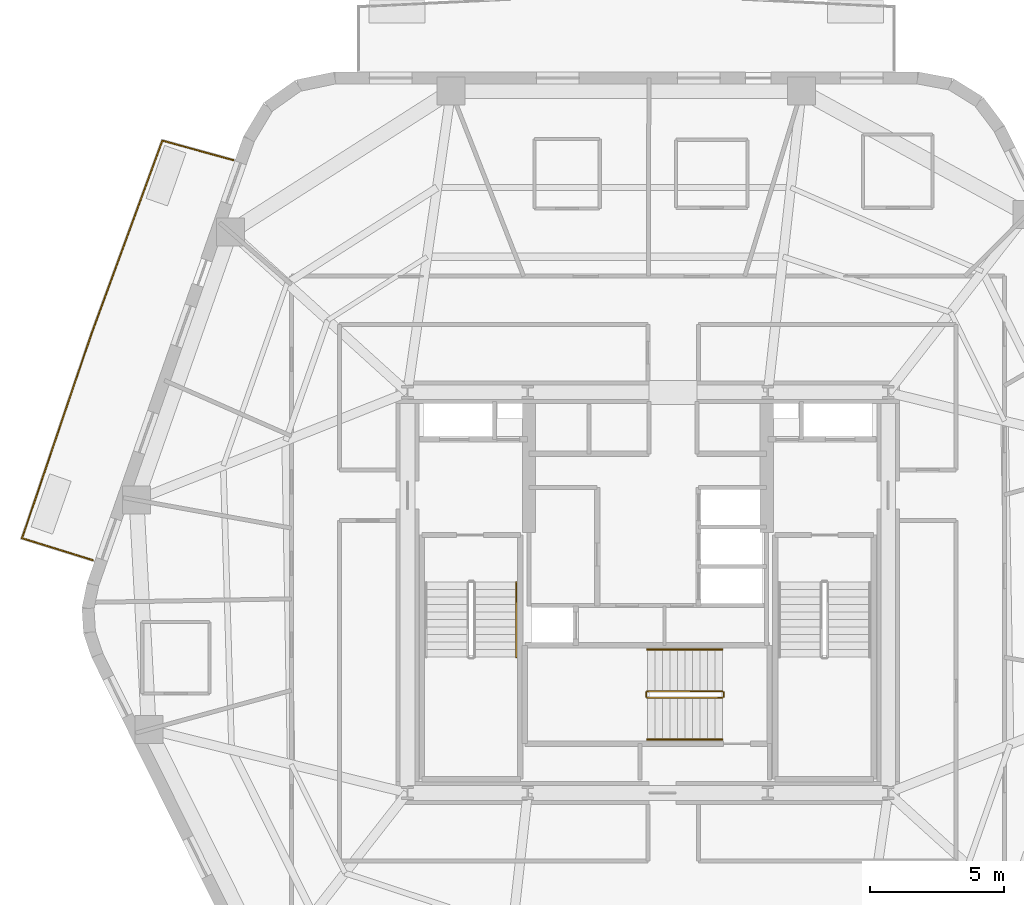
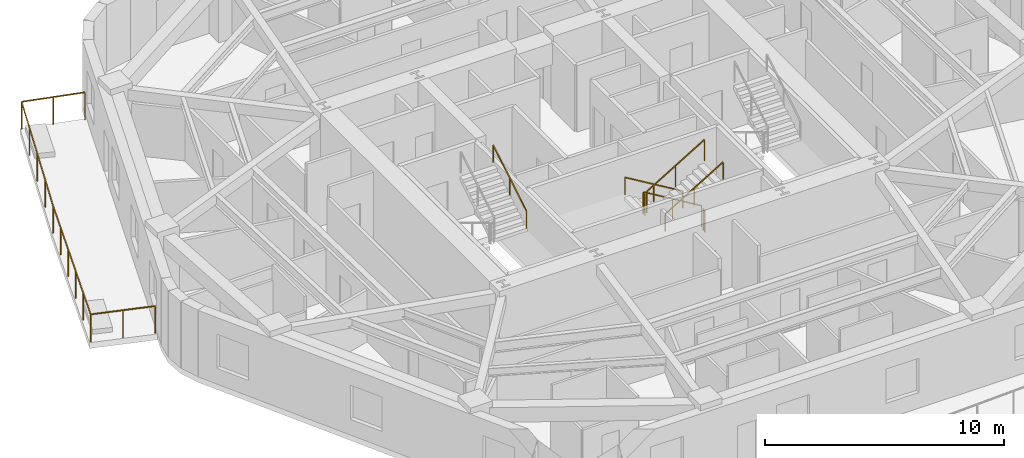
# One storey, part 9 of 11: 8 railings.
"""IFC4 building model written with IfcOpenShell, lengths in metres."""

from ifc_helpers import new_model, si_unit, direction, frame, origin, origin_2d, place, context, subcontext, project, spatial, rectangle, extrude, material, layer, layer_set, type_object, element, save


model = new_model("IFC4")

# Units and contexts
model_context = context("Model", 3, precision=1e-05, world=origin(), true_north=direction((0.0, 1.0)))
body_context = subcontext(model_context, "Body", "Model", "MODEL_VIEW")
ifc_project = project(units=[si_unit("LENGTHUNIT", "METRE"), si_unit("AREAUNIT", "SQUARE_METRE"), si_unit("VOLUMEUNIT", "CUBIC_METRE"), si_unit("PLANEANGLEUNIT", "RADIAN"), si_unit("MASSUNIT", "GRAM", prefix="KILO")], contexts=[model_context])

# Site, building, storey
site_placement = place(None, origin())
site = spatial("IfcSite", under=ifc_project, at=site_placement, CompositionType="ELEMENT")
building_placement = place(site_placement, origin())
building = spatial("IfcBuilding", under=site, at=building_placement, Name="Kilnhurst Terrace Hotel", CompositionType="ELEMENT")
storey_placement = place(building_placement, frame((0.0, 0.0, 159.10009765625)))
storey = spatial("IfcBuildingStorey", under=building, at=storey_placement, Name="L39", CompositionType="ELEMENT", Elevation=159.10009765625)

# Railings
ifc_material_1 = material(Name="Laminated SentryGlas and Stainless Steel AISI 316L Balustrade", Category="steel")
ifc_layer_1 = layer(ifc_material_1, 0.070068359375, Name="Laminated SentryGlas and Stainless Steel AISI 316L Balustrade")
ifc_layer_set_1 = layer_set([ifc_layer_1], Name="Laminated SentryGlas and Stainless Steel AISI 316L Balustrade")
railing_type_1 = type_object("IfcRailingType", Name="RLG-BAL-1420", PredefinedType="BALUSTRADE", material=ifc_layer_set_1)
railing_1_placement = place(storey_placement, frame((-20.783935546875, 1.215087890625, 0.0)))
element("IfcRailing", 1, at=railing_1_placement, inside=storey, type_object=railing_type_1, Name="L39 Exterior Terrace Guardrail BAL-L2B.1", PredefinedType="BALUSTRADE", context=body_context, shape_type="SweptSolid", body=[
    extrude(rectangle(XDim=0.048095703125, YDim=0.048095703125, at=origin_2d()), frame((0.0, 0.0, 1.39599609375), z_axis=(-0.954948187333, 0.29677257203, 0.0), x_axis=(-0.29677257203, -0.954948187333, 0.0)), (0.0, 0.0, 1.0), 2.7763671875),
    extrude(rectangle(XDim=0.048095703125, YDim=0.048095703125, at=origin_2d()), frame((-2.6513671875, 0.823974609375, 1.39599609375), z_axis=(0.321641701575, 0.946861455445, 0.0), x_axis=(-0.946861455445, 0.321641701575, 0.0)), (0.0, 0.0, 1.0), 8.082275390625),
    extrude(rectangle(XDim=0.048095703125, YDim=0.048095703125, at=origin_2d()), frame((-0.0517578125, 8.476806640625, 1.39599609375), z_axis=(0.344704120874, 0.938711387516, 0.0), x_axis=(-0.938711387516, 0.344704120874, 0.0)), (0.0, 0.0, 1.0), 7.7080078125),
    extrude(rectangle(XDim=0.048095703125, YDim=0.048095703125, at=origin_2d()), frame((2.605224609375, 15.71240234375, 1.39599609375), z_axis=(0.964239560757, -0.265032204593, 0.0), x_axis=(0.265032204593, 0.964239560757, 0.0)), (0.0, 0.0, 1.0), 2.739501953125),
    extrude(rectangle(XDim=0.0419921875, YDim=0.0419921875, at=origin_2d()), origin(), (0.0, 0.0, 1.0), 1.371826171875),
    extrude(rectangle(XDim=0.0419921875, YDim=0.0419921875, at=origin_2d()), frame((-1.32568359375, 0.412109375, 0.0)), (0.0, 0.0, 1.0), 1.371826171875),
    extrude(rectangle(XDim=0.0419921875, YDim=0.0419921875, at=origin_2d()), frame((-2.6513671875, 0.823974609375, 0.0)), (0.0, 0.0, 1.0), 1.371826171875),
    extrude(rectangle(XDim=0.0419921875, YDim=0.0419921875, at=origin_2d()), frame((-2.13134765625, 2.3544921875, 0.0)), (0.0, 0.0, 1.0), 1.371826171875),
    extrude(rectangle(XDim=0.0419921875, YDim=0.0419921875, at=origin_2d()), frame((-1.611572265625, 3.885009765625, 0.0)), (0.0, 0.0, 1.0), 1.371826171875),
    extrude(rectangle(XDim=0.0419921875, YDim=0.0419921875, at=origin_2d()), frame((-1.091552734375, 5.415771484375, 0.0)), (0.0, 0.0, 1.0), 1.371826171875),
    extrude(rectangle(XDim=0.0419921875, YDim=0.0419921875, at=origin_2d()), frame((-0.57177734375, 6.9462890625, 0.0)), (0.0, 0.0, 1.0), 1.371826171875),
    extrude(rectangle(XDim=0.0419921875, YDim=0.0419921875, at=origin_2d()), frame((-0.0517578125, 8.476806640625, 0.0)), (0.0, 0.0, 1.0), 1.371826171875),
    extrude(rectangle(XDim=0.0419921875, YDim=0.0419921875, at=origin_2d()), frame((0.612548828125, 10.28564453125, 0.0)), (0.0, 0.0, 1.0), 1.371826171875),
    extrude(rectangle(XDim=0.0419921875, YDim=0.0419921875, at=origin_2d()), frame((1.27685546875, 12.0947265625, 0.0)), (0.0, 0.0, 1.0), 1.371826171875),
    extrude(rectangle(XDim=0.0419921875, YDim=0.0419921875, at=origin_2d()), frame((1.94091796875, 13.903564453125, 0.0)), (0.0, 0.0, 1.0), 1.371826171875),
    extrude(rectangle(XDim=0.0419921875, YDim=0.0419921875, at=origin_2d()), frame((2.605224609375, 15.71240234375, 0.0)), (0.0, 0.0, 1.0), 1.371826171875),
    extrude(rectangle(XDim=0.0419921875, YDim=0.0419921875, at=origin_2d()), frame((3.926025390625, 15.349365234375, 0.0)), (0.0, 0.0, 1.0), 1.371826171875),
    extrude(rectangle(XDim=0.0419921875, YDim=0.0419921875, at=origin_2d()), frame((5.246826171875, 14.986328125, 0.0)), (0.0, 0.0, 1.0), 1.371826171875),
])
ifc_material_2 = material(Name="Powder-Coated Steel ASTM A500 Grade B", Category="steel")
ifc_layer_2 = layer(ifc_material_2, 0.050048828125, Name="Powder-Coated Steel ASTM A500 Grade B")
ifc_layer_set_2 = layer_set([ifc_layer_2], Name="Powder-Coated Steel ASTM A500 Grade B")
railing_type_2 = type_object("IfcRailingType", Name="RLG-ST-GRD-1100", PredefinedType="GUARDRAIL", material=ifc_layer_set_2)
railing_2_placement = place(storey_placement, frame((2.7900390625, -3.68994140625, 0.16796875)))
element("IfcRailing", 2, at=railing_2_placement, inside=storey, type_object=railing_type_2, Name="L39 ST-3 stair guard 1", PredefinedType="GUARDRAIL", context=body_context, shape_type="SweptSolid", body=[
    extrude(rectangle(XDim=0.048095703125, YDim=0.048095703125, at=origin_2d()), frame((0.0, 0.0, 1.076171875), z_axis=(-0.857242210791, 0.0, 0.514913383045), x_axis=(0.0, -1.0, 0.0)), (0.0, 0.0, 1.0), 3.266357421875),
    extrude(rectangle(XDim=0.0419921875, YDim=0.0419921875, at=origin_2d()), origin(), (0.0, 0.0, 1.0), 1.052001953125),
    extrude(rectangle(XDim=0.0419921875, YDim=0.0419921875, at=origin_2d()), frame((-1.39990234375, 0.0, 0.8408203125)), (0.0, 0.0, 1.0), 1.052001953125),
    extrude(rectangle(XDim=0.0419921875, YDim=0.0419921875, at=origin_2d()), frame((-2.800048828125, 0.0, 1.681884765625)), (0.0, 0.0, 1.0), 1.052001953125),
])
railing_3_placement = place(storey_placement, frame((-0.06005859375, -3.739990234375, 1.849853515625)))
element("IfcRailing", 3, at=railing_3_placement, inside=storey, type_object=railing_type_2, Name="L39 ST-3 stair guard 2", PredefinedType="GUARDRAIL", context=body_context, shape_type="SweptSolid", body=[
    extrude(rectangle(XDim=0.048095703125, YDim=0.048095703125, at=origin_2d()), frame((0.0, 0.0, 1.076171875), z_axis=(0.0, -1.0, 0.0), x_axis=(1.0, 0.0, 0.0)), (0.0, 0.0, 1.0), 0.14990234375),
    extrude(rectangle(XDim=0.0419921875, YDim=0.0419921875, at=origin_2d()), origin(), (0.0, 0.0, 1.0), 1.052001953125),
    extrude(rectangle(XDim=0.0419921875, YDim=0.0419921875, at=origin_2d()), frame((0.0, -0.14990234375, 0.0)), (0.0, 0.0, 1.0), 1.052001953125),
])
railing_4_placement = place(storey_placement, frame((-0.010009765625, -3.93994140625, 2.01806640625)))
element("IfcRailing", 4, at=railing_4_placement, inside=storey, type_object=railing_type_2, Name="L39 ST-3 stair guard 3", PredefinedType="GUARDRAIL", context=body_context, shape_type="SweptSolid", body=[
    extrude(rectangle(XDim=0.048095703125, YDim=0.048095703125, at=origin_2d()), frame((0.0, 0.0, 1.076171875), z_axis=(0.857242210791, 0.0, 0.514913383045), x_axis=(0.0, 1.0, 0.0)), (0.0, 0.0, 1.0), 3.266357421875),
    extrude(rectangle(XDim=0.0419921875, YDim=0.0419921875, at=origin_2d()), origin(), (0.0, 0.0, 1.0), 1.052001953125),
    extrude(rectangle(XDim=0.0419921875, YDim=0.0419921875, at=origin_2d()), frame((1.39990234375, 0.0, 0.8408203125)), (0.0, 0.0, 1.0), 1.052001953125),
    extrude(rectangle(XDim=0.0419921875, YDim=0.0419921875, at=origin_2d()), frame((2.800048828125, 0.0, 1.681884765625)), (0.0, 0.0, 1.0), 1.052001953125),
])
railing_5_placement = place(storey_placement, frame((2.840087890625, -3.739990234375, 0.0)))
element("IfcRailing", 5, at=railing_5_placement, inside=storey, type_object=railing_type_2, Name="L39 ST-3 stair guard 4", PredefinedType="GUARDRAIL", context=body_context, shape_type="SweptSolid", body=[
    extrude(rectangle(XDim=0.048095703125, YDim=0.048095703125, at=origin_2d()), frame((0.0, 0.0, 1.076171875), z_axis=(0.0, -1.0, 0.0), x_axis=(1.0, 0.0, 0.0)), (0.0, 0.0, 1.0), 0.14990234375),
    extrude(rectangle(XDim=0.0419921875, YDim=0.0419921875, at=origin_2d()), origin(), (0.0, 0.0, 1.0), 1.052001953125),
    extrude(rectangle(XDim=0.0419921875, YDim=0.0419921875, at=origin_2d()), frame((0.0, -0.14990234375, 0.0)), (0.0, 0.0, 1.0), 1.052001953125),
])
ifc_material_3 = material(Name="Brushed Stainless Steel AISI 304", Category="steel")
ifc_layer_3 = layer(ifc_material_3, 0.048095703125, Name="Brushed Stainless Steel AISI 304")
ifc_layer_set_3 = layer_set([ifc_layer_3], Name="Brushed Stainless Steel AISI 304")
railing_type_3 = type_object("IfcRailingType", Name="RLG-ST-HRL-900", PredefinedType="HANDRAIL", material=ifc_layer_set_3)
railing_6_placement = place(storey_placement, frame((-4.929931640625, -2.409912109375, 2.01806640625)))
element("IfcRailing", 6, at=railing_6_placement, inside=storey, type_object=railing_type_3, Name="L39 ST-1 stair handrail 2", PredefinedType="HANDRAIL", context=body_context, shape_type="SweptSolid", body=[
    extrude(rectangle(XDim=0.048095703125, YDim=0.048095703125, at=origin_2d()), frame((0.0, 0.0, 0.8759765625), z_axis=(0.0, 0.857222391501, 0.514946377315), x_axis=(-1.0, 0.0, 0.0)), (0.0, 0.0, 1.0), 3.26611328125),
    extrude(rectangle(XDim=0.0419921875, YDim=0.0419921875, at=origin_2d()), origin(), (0.0, 0.0, 1.0), 0.851806640625),
    extrude(rectangle(XDim=0.0419921875, YDim=0.0419921875, at=origin_2d()), frame((0.0, 1.39990234375, 0.8408203125)), (0.0, 0.0, 1.0), 0.851806640625),
    extrude(rectangle(XDim=0.0419921875, YDim=0.0419921875, at=origin_2d()), frame((0.0, 2.7998046875, 1.681884765625)), (0.0, 0.0, 1.0), 0.851806640625),
])
railing_7_placement = place(storey_placement, frame((2.7900390625, -2.1298828125, 0.16796875)))
element("IfcRailing", 7, at=railing_7_placement, inside=storey, type_object=railing_type_3, Name="L39 ST-3 stair handrail 1", PredefinedType="HANDRAIL", context=body_context, shape_type="SweptSolid", body=[
    extrude(rectangle(XDim=0.048095703125, YDim=0.048095703125, at=origin_2d()), frame((0.0, 0.0, 0.8759765625), z_axis=(-0.857242210791, 0.0, 0.514913383045), x_axis=(0.0, -1.0, 0.0)), (0.0, 0.0, 1.0), 3.266357421875),
    extrude(rectangle(XDim=0.0419921875, YDim=0.0419921875, at=origin_2d()), origin(), (0.0, 0.0, 1.0), 0.851806640625),
    extrude(rectangle(XDim=0.0419921875, YDim=0.0419921875, at=origin_2d()), frame((-1.39990234375, 0.0, 0.8408203125)), (0.0, 0.0, 1.0), 0.851806640625),
    extrude(rectangle(XDim=0.0419921875, YDim=0.0419921875, at=origin_2d()), frame((-2.800048828125, 0.0, 1.681884765625)), (0.0, 0.0, 1.0), 0.851806640625),
])
railing_8_placement = place(storey_placement, frame((-0.010009765625, -5.5, 2.01806640625)))
element("IfcRailing", 8, at=railing_8_placement, inside=storey, type_object=railing_type_3, Name="L39 ST-3 stair handrail 2", PredefinedType="HANDRAIL", context=body_context, shape_type="SweptSolid", body=[
    extrude(rectangle(XDim=0.048095703125, YDim=0.048095703125, at=origin_2d()), frame((0.0, 0.0, 0.8759765625), z_axis=(0.857242210791, 0.0, 0.514913383045), x_axis=(0.0, 1.0, 0.0)), (0.0, 0.0, 1.0), 3.266357421875),
    extrude(rectangle(XDim=0.0419921875, YDim=0.0419921875, at=origin_2d()), origin(), (0.0, 0.0, 1.0), 0.851806640625),
    extrude(rectangle(XDim=0.0419921875, YDim=0.0419921875, at=origin_2d()), frame((1.39990234375, 0.0, 0.8408203125)), (0.0, 0.0, 1.0), 0.851806640625),
    extrude(rectangle(XDim=0.0419921875, YDim=0.0419921875, at=origin_2d()), frame((2.800048828125, 0.0, 1.681884765625)), (0.0, 0.0, 1.0), 0.851806640625),
])

save(model, "model.ifc")
